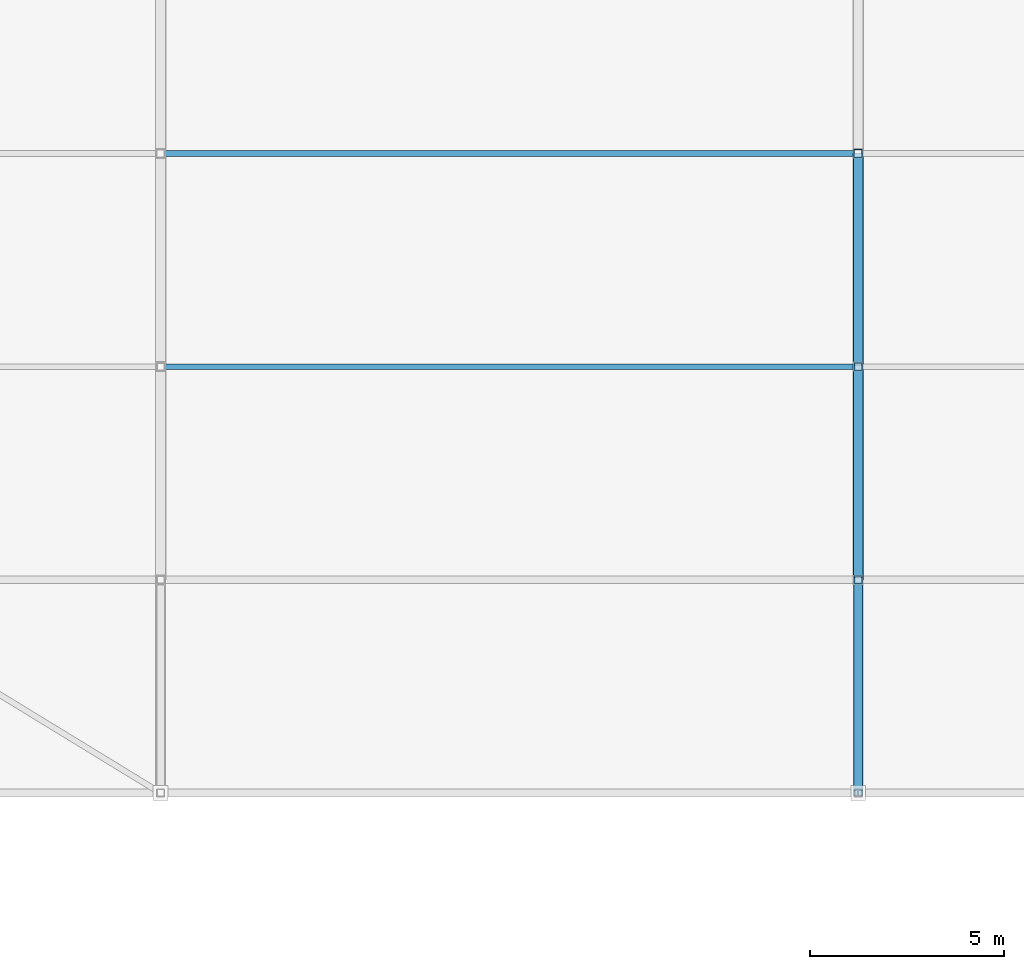
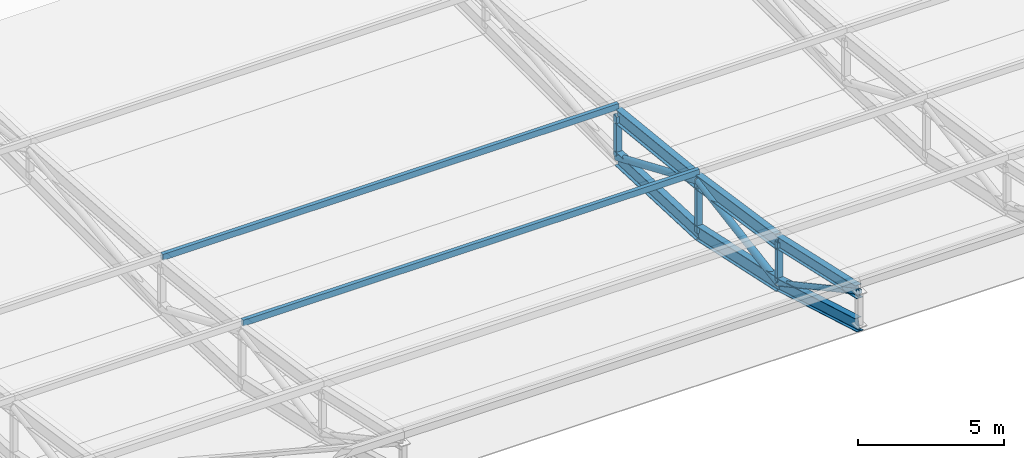
# One storey, part 38 of 114: 8 members, 6 beams.
"""IFC4 building model written with IfcOpenShell, lengths in metres."""

from ifc_helpers import new_model, si_unit, direction, frame, origin, origin_2d, place, context, subcontext, project, spatial, hollow_rectangle, hollow_circle, i_section, extrude, material, material_profile, profile_set, type_object, element, save


model = new_model("IFC4")

# Units and contexts
model_context = context("Model", 3, precision=1e-05, world=origin(), true_north=direction((0.0, 1.0)))
body_context = subcontext(model_context, "Body", "Model", "MODEL_VIEW")
ifc_project = project(units=[si_unit("LENGTHUNIT", "METRE"), si_unit("AREAUNIT", "SQUARE_METRE"), si_unit("VOLUMEUNIT", "CUBIC_METRE"), si_unit("PLANEANGLEUNIT", "RADIAN"), si_unit("MASSUNIT", "GRAM", prefix="KILO"), si_unit("THERMODYNAMICTEMPERATUREUNIT", "KELVIN"), si_unit("POWERUNIT", "WATT")], contexts=[model_context])

# Site, building, storey
site_placement = place(None, origin())
site = spatial("IfcSite", under=ifc_project, at=site_placement, CompositionType="ELEMENT")
building_placement = place(site_placement, origin())
building = spatial("IfcBuilding", under=site, at=building_placement, Name="Sindhuravela Promenade Stadium", CompositionType="ELEMENT")
storey_placement = place(building_placement, frame((0.0, 0.0, 24.0)))
storey = spatial("IfcBuildingStorey", under=building, at=storey_placement, Name="L05", CompositionType="ELEMENT", Elevation=24.0)

# Beams
ifc_material = material(Name="Steel E350 (IS 2062 E350BR)", Category="steel")
ifc_material_profile_1 = material_profile(ifc_material, i_section(OverallWidth=0.25, OverallDepth=0.5, WebThickness=0.010009765625, FlangeThickness=0.0146484375, FilletRadius=0.014892578125, at=origin_2d()), Name="ISWB 500")
ifc_profile_set_1 = profile_set([ifc_material_profile_1], Name="Steel E350 (IS 2062 E350BR)")
beam_type_1 = type_object("IfcBeamType", Name="ST-BM-WB500", PredefinedType="USERDEFINED", material=ifc_profile_set_1)
beam_1_placement = place(storey_placement, frame((126.0, 124.0, 3.169189453125), z_axis=(0.0, -0.9758669805330386, 0.2183658313595103), x_axis=(1.0, 0.0, 0.0)))
element("IfcBeam", 1, at=beam_1_placement, inside=storey, type_object=beam_type_1, Name="Roof truss RT-N06 top chord 5", ObjectType="ROOF TRUSS", PredefinedType="USERDEFINED", context=body_context, shape_type="SweptSolid", body=[
    extrude(i_section(OverallWidth=0.25, OverallDepth=0.5, WebThickness=0.010009765625, FlangeThickness=0.0146484375, FilletRadius=0.014892578125, at=origin_2d()), origin(), (0.0, 0.0, 1.0), 5.635986328125),
])
beam_2_placement = place(storey_placement, frame((126.0, 124.0, 1.419189453125), z_axis=(0.0, -0.9599274278129861, 0.28024869907342015), x_axis=(1.0, 0.0, 0.0)))
element("IfcBeam", 2, at=beam_2_placement, inside=storey, type_object=beam_type_1, Name="Roof truss RT-N06 bottom chord 5", ObjectType="ROOF TRUSS", PredefinedType="USERDEFINED", context=body_context, shape_type="SweptSolid", body=[
    extrude(i_section(OverallWidth=0.25, OverallDepth=0.5, WebThickness=0.010009765625, FlangeThickness=0.0146484375, FilletRadius=0.014892578125, at=origin_2d()), origin(), (0.0, 0.0, 1.0), 5.7294921875),
])
ifc_material_profile_2 = material_profile(ifc_material, i_section(OverallWidth=0.25, OverallDepth=0.60009765625, WebThickness=0.01171875, FlangeThickness=0.023681640625, FilletRadius=0.01708984375, at=origin_2d()), Name="ISWB 600")
ifc_profile_set_2 = profile_set([ifc_material_profile_2], Name="Steel E350 (IS 2062 E350BR)")
beam_type_2 = type_object("IfcBeamType", Name="ST-BM-WB600", PredefinedType="USERDEFINED", material=ifc_profile_set_2)
beam_3_placement = place(storey_placement, frame((126.0, 135.0, 1.76318359375), z_axis=(0.0, -0.9943078180575428, 0.1065455909441987), x_axis=(1.0, 0.0, 0.0)))
element("IfcBeam", 3, at=beam_3_placement, inside=storey, type_object=beam_type_2, Name="Roof truss RT-N06 top chord 3", ObjectType="ROOF TRUSS", PredefinedType="USERDEFINED", context=body_context, shape_type="SweptSolid", body=[
    extrude(i_section(OverallWidth=0.25, OverallDepth=0.60009765625, WebThickness=0.01171875, FlangeThickness=0.023681640625, FilletRadius=0.01708984375, at=origin_2d()), origin(), (0.0, 0.0, 1.0), 5.531494140625),
])
beam_4_placement = place(storey_placement, frame((126.0, 135.0, 0.0), z_axis=(0.0, -0.9991453279387894, 0.04133538022189949), x_axis=(1.0, 0.0, 0.0)))
element("IfcBeam", 4, at=beam_4_placement, inside=storey, type_object=beam_type_2, Name="Roof truss RT-N06 bottom chord 3", ObjectType="ROOF TRUSS", PredefinedType="USERDEFINED", context=body_context, shape_type="SweptSolid", body=[
    extrude(i_section(OverallWidth=0.25, OverallDepth=0.60009765625, WebThickness=0.01171875, FlangeThickness=0.023681640625, FilletRadius=0.01708984375, at=origin_2d()), origin(), (0.0, 0.0, 1.0), 5.504638671875),
])
beam_5_placement = place(storey_placement, frame((126.0, 129.5, 2.3525390625), z_axis=(0.0, -0.9891555530237203, 0.14687168523012892), x_axis=(1.0, 0.0, 0.0)))
element("IfcBeam", 5, at=beam_5_placement, inside=storey, type_object=beam_type_2, Name="Roof truss RT-N06 top chord 4", ObjectType="ROOF TRUSS", PredefinedType="USERDEFINED", context=body_context, shape_type="SweptSolid", body=[
    extrude(i_section(OverallWidth=0.25, OverallDepth=0.60009765625, WebThickness=0.01171875, FlangeThickness=0.023681640625, FilletRadius=0.01708984375, at=origin_2d()), origin(), (0.0, 0.0, 1.0), 5.560302734375),
])
beam_6_placement = place(storey_placement, frame((126.0, 129.5, 0.2275390625), z_axis=(0.0, -0.9773237385626684, 0.21175058451368894), x_axis=(1.0, 0.0, 0.0)))
element("IfcBeam", 6, at=beam_6_placement, inside=storey, type_object=beam_type_2, Name="Roof truss RT-N06 bottom chord 4", ObjectType="ROOF TRUSS", PredefinedType="USERDEFINED", context=body_context, shape_type="SweptSolid", body=[
    extrude(i_section(OverallWidth=0.25, OverallDepth=0.60009765625, WebThickness=0.01171875, FlangeThickness=0.023681640625, FilletRadius=0.01708984375, at=origin_2d()), origin(), (0.0, 0.0, 1.0), 5.627685546875),
])

# Members
ifc_material_profile_3 = material_profile(ifc_material, hollow_circle(Radius=0.109619140625, WallThickness=0.010009765625, at=origin_2d()), Name="CHS 219.1x10")
ifc_profile_set_3 = profile_set([ifc_material_profile_3], Name="Steel E350 (IS 2062 E350BR)")
member_type_1 = type_object("IfcMemberType", Name="ST-MB-CHS219", PredefinedType="BRACE", material=ifc_profile_set_3)
member_1_placement = place(storey_placement, frame((126.0, 124.0, 1.419189453125), z_axis=(0.0, -0.8791884339384995, 0.47647423605979855), x_axis=(1.0, 0.0, 0.0)))
element("IfcMember", 7, at=member_1_placement, inside=storey, type_object=member_type_1, Name="Roof truss RT-N06 diagonal web 5", PredefinedType="BRACE", context=body_context, shape_type="SweptSolid", body=[
    extrude(hollow_circle(Radius=0.109619140625, WallThickness=0.010009765625, at=origin_2d()), origin(), (0.0, 0.0, 1.0), 6.255859375),
])
ifc_material_profile_4 = material_profile(ifc_material, hollow_circle(Radius=0.136474609375, WallThickness=0.010009765625, at=origin_2d()), Name="CHS 273.0x10")
ifc_profile_set_4 = profile_set([ifc_material_profile_4], Name="Steel E350 (IS 2062 E350BR)")
member_type_2 = type_object("IfcMemberType", Name="ST-MB-CHS273", PredefinedType="BRACE", material=ifc_profile_set_4)
member_2_placement = place(storey_placement, frame((126.0, 135.0, 0.0), z_axis=(0.0, -0.9194234507496676, 0.3932690150667524), x_axis=(1.0, 0.0, 0.0)))
element("IfcMember", 8, at=member_2_placement, inside=storey, type_object=member_type_2, Name="Roof truss RT-N06 diagonal web 3", PredefinedType="BRACE", context=body_context, shape_type="SweptSolid", body=[
    extrude(hollow_circle(Radius=0.136474609375, WallThickness=0.010009765625, at=origin_2d()), origin(), (0.0, 0.0, 1.0), 5.98193359375),
])
member_3_placement = place(storey_placement, frame((126.0, 129.5, 2.3525390625), z_axis=(0.0, -0.9859046851385784, -0.1673079550463772), x_axis=(1.0, 0.0, 0.0)))
element("IfcMember", 9, at=member_3_placement, inside=storey, type_object=member_type_2, Name="Roof truss RT-N06 diagonal web 4", PredefinedType="BRACE", context=body_context, shape_type="SweptSolid", body=[
    extrude(hollow_circle(Radius=0.136474609375, WallThickness=0.010009765625, at=origin_2d()), origin(), (0.0, 0.0, 1.0), 5.57861328125),
])
ifc_material_profile_5 = material_profile(ifc_material, hollow_rectangle(XDim=0.14990234375, YDim=0.25, WallThickness=0.010009765625, at=origin_2d()), Name="RHS 250x150x10")
ifc_profile_set_5 = profile_set([ifc_material_profile_5], Name="Steel E350 (IS 2062 E350BR)")
member_type_3 = type_object("IfcMemberType", Name="ST-MB-RHS250", PredefinedType="PURLIN", material=ifc_profile_set_5)
for number, where, z_axis, x_axis, name in (
    (10, (108.0, 135.0, 2.1552734375), (1.0, 0.0, 0.0), (0.0, 1.0, 0.0), "Roof purlin PR01 N bay 5.3"),
    (11, (108.0, 129.5, 2.744384765625), (1.0, 0.0, 0.0), (0.0, 1.0, 0.0), "Roof purlin PR01 N bay 5.4"),
):
    element("IfcMember", number, at=place(storey_placement, frame(where, z_axis=z_axis, x_axis=x_axis)), inside=storey, type_object=member_type_3, Name=name, PredefinedType="PURLIN", context=body_context, shape_type="SweptSolid", body=[
        extrude(hollow_rectangle(XDim=0.14990234375, YDim=0.25, WallThickness=0.010009765625, at=origin_2d()), origin(), (0.0, 0.0, 1.0), 18.0),
    ])
ifc_material_profile_6 = material_profile(ifc_material, hollow_rectangle(XDim=0.199951171875, YDim=0.199951171875, WallThickness=0.010009765625, at=origin_2d()), Name="SHS 200x200x10")
ifc_profile_set_6 = profile_set([ifc_material_profile_6], Name="Steel E350 (IS 2062 E350BR)")
member_type_4 = type_object("IfcMemberType", Name="ST-MB-SHS200", PredefinedType="POST", material=ifc_profile_set_6)
member_4_placement = place(storey_placement, frame((126.0, 129.5, 0.2275390625), z_axis=(0.0, 0.0, 1.0), x_axis=(1.0, 0.0, 0.0)))
element("IfcMember", 12, at=member_4_placement, inside=storey, type_object=member_type_4, Name="Roof truss RT-N06 vertical post 4", PredefinedType="POST", context=body_context, shape_type="SweptSolid", body=[
    extrude(hollow_rectangle(XDim=0.199951171875, YDim=0.199951171875, WallThickness=0.010009765625, at=origin_2d()), origin(), (0.0, 0.0, 1.0), 2.125),
])
member_5_placement = place(storey_placement, frame((126.0, 124.0, 1.419189453125), z_axis=(0.0, 0.0, 1.0), x_axis=(1.0, 0.0, 0.0)))
element("IfcMember", 13, at=member_5_placement, inside=storey, type_object=member_type_4, Name="Roof truss RT-N06 vertical post 5", PredefinedType="POST", context=body_context, shape_type="SweptSolid", body=[
    extrude(hollow_rectangle(XDim=0.199951171875, YDim=0.199951171875, WallThickness=0.010009765625, at=origin_2d()), origin(), (0.0, 0.0, 1.0), 1.75),
])
ifc_material_profile_7 = material_profile(ifc_material, hollow_rectangle(XDim=0.219970703125, YDim=0.219970703125, WallThickness=0.011962890625, at=origin_2d()), Name="SHS 220x220x12")
ifc_profile_set_7 = profile_set([ifc_material_profile_7], Name="Steel E350 (IS 2062 E350BR)")
member_type_5 = type_object("IfcMemberType", Name="ST-MB-SHS220", PredefinedType="POST", material=ifc_profile_set_7)
member_6_placement = place(storey_placement, frame((126.0, 135.0, 0.0), z_axis=(0.0, 0.0, 1.0), x_axis=(1.0, 0.0, 0.0)))
element("IfcMember", 14, at=member_6_placement, inside=storey, type_object=member_type_5, Name="Roof truss RT-N06 vertical post 3", PredefinedType="POST", context=body_context, shape_type="SweptSolid", body=[
    extrude(hollow_rectangle(XDim=0.219970703125, YDim=0.219970703125, WallThickness=0.011962890625, at=origin_2d()), origin(), (0.0, 0.0, 1.0), 1.76318359375),
])

save(model, "model.ifc")
